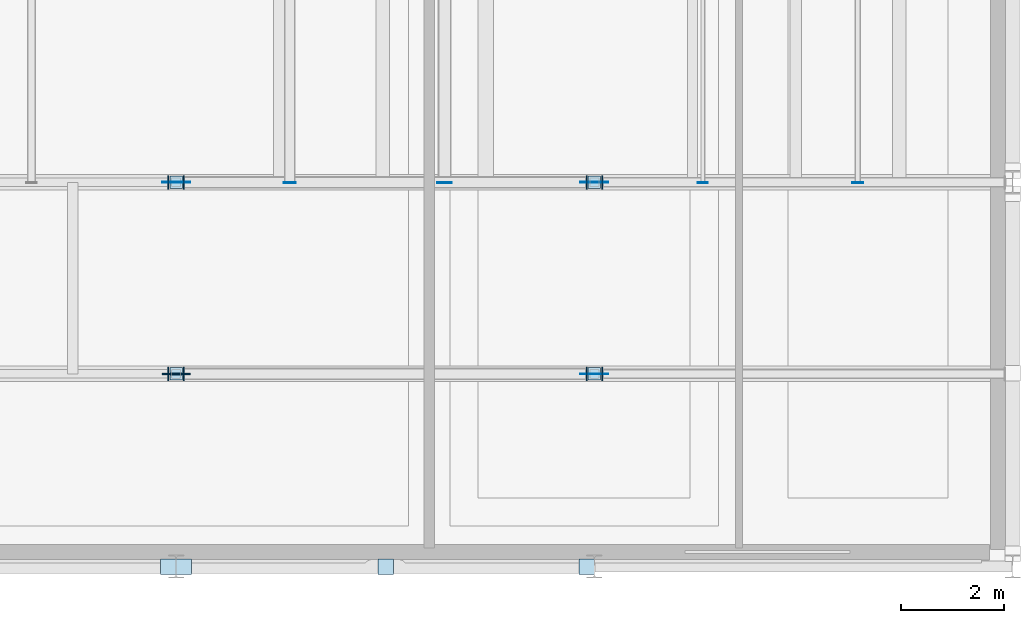
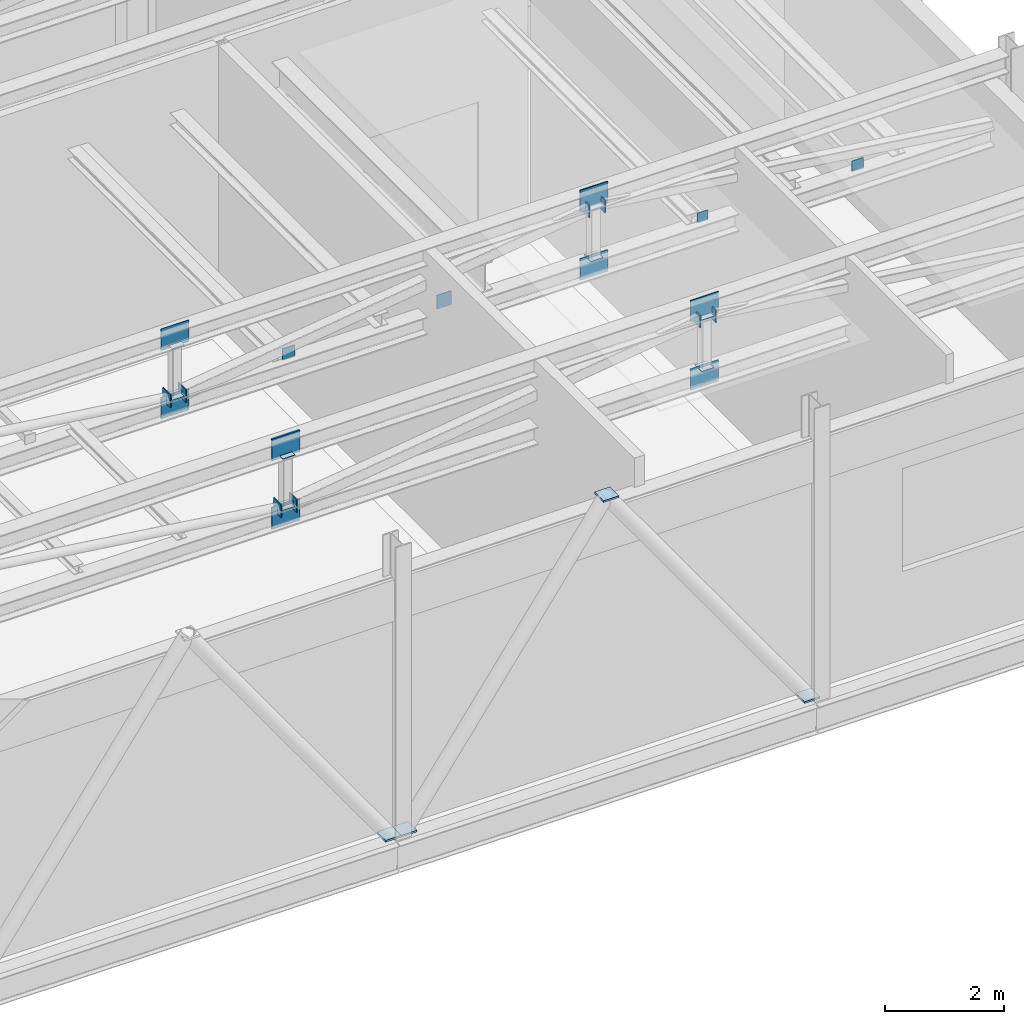
# One storey, part 15 of 21: 32 plates.
"""IFC4 building model written with IfcOpenShell, lengths in metres."""

import ifcopenshell
import ifcopenshell.guid

model = None  # the IFC model being written
_history = None  # IfcOwnerHistory: only IFC2X3 demands one
_inside = {}  # id of a spatial element -> (the spatial element, [elements in it])
_under = {}  # id of a project, library or spatial element -> (it, [spatial elements below it])
_declared = {}  # id of a project -> (the project, [libraries it declares])
_typed = {}  # id of a type object -> (the type object, [elements of that type])
_made_of = {}  # id of a material, layer set ... -> (it, [elements and type objects made of it])


def new_model(schema):
    """Start an empty IFC model of exactly this schema.

    Asked for "IFC4X3", IfcOpenShell would pick the latest addendum, in which some entities
    have other attributes; the version numbers below select the first issue.
    IFC2X3 requires an IfcOwnerHistory on every rooted entity: one is made here for all.
    """
    global model, _history
    if schema == "IFC4X3":
        model = ifcopenshell.file(schema_version=(4, 3, 0, 0))
    else:
        model = ifcopenshell.file(schema=schema)
    _inside.clear()
    _under.clear()
    _declared.clear()
    _typed.clear()
    _made_of.clear()
    _history = None
    if model.schema == "IFC2X3":
        org = make("IfcOrganization", Name="unknown")
        user = make(
            "IfcPersonAndOrganization",
            ThePerson=make("IfcPerson", FamilyName="unknown"),
            TheOrganization=org,
        )
        app = make(
            "IfcApplication",
            ApplicationDeveloper=org,
            Version="unknown",
            ApplicationFullName="unknown",
            ApplicationIdentifier="unknown",
        )
        _history = make(
            "IfcOwnerHistory",
            OwningUser=user,
            OwningApplication=app,
            ChangeAction="ADDED",
            CreationDate=0,
        )
    return model


def make(cls, **values):
    """One entity of the class cls with the attributes given. An attribute that is None is left unset."""
    return model.create_entity(
        cls, **{name: value for name, value in values.items() if value is not None}
    )


def rooted(cls, **values):
    """An entity with a GlobalId (a new one), such as an element, a storey or a relation."""
    return make(cls, GlobalId=ifcopenshell.guid.new(), OwnerHistory=_history, **values)


def si_unit(unit_type, name, prefix=None):
    """IfcSIUnit, for example si_unit("LENGTHUNIT", "METRE", prefix="MILLI")."""
    return make("IfcSIUnit", UnitType=unit_type, Prefix=prefix, Name=name)


def assignment(units):
    """IfcUnitAssignment: the units of a project."""
    return None if units is None else make("IfcUnitAssignment", Units=units)


def point(xyz):
    """IfcCartesianPoint."""
    return None if xyz is None else make("IfcCartesianPoint", Coordinates=xyz)


def direction(xyz):
    """IfcDirection."""
    return None if xyz is None else make("IfcDirection", DirectionRatios=xyz)


def frame(location, z_axis=None, x_axis=None):
    """IfcAxis2Placement3D, a coordinate frame: its origin and axes. An axis left out is left unset."""
    return make(
        "IfcAxis2Placement3D",
        Location=point(location),
        Axis=direction(z_axis),
        RefDirection=direction(x_axis),
    )


def frame_2d(location, x_axis=None):
    """IfcAxis2Placement2D, a coordinate frame in the plane: its origin and x axis."""
    return make(
        "IfcAxis2Placement2D", Location=point(location), RefDirection=direction(x_axis)
    )


def origin():
    """The frame at (0, 0, 0) with its axes left unset."""
    return frame((0.0, 0.0, 0.0))


def origin_2d():
    """The frame at (0, 0) in the plane with its x axis left unset."""
    return frame_2d((0.0, 0.0))


def place(relative_to, where):
    """IfcLocalPlacement: puts the frame where relative to a parent placement (None: the world)."""
    return make(
        "IfcLocalPlacement", PlacementRelTo=relative_to, RelativePlacement=where
    )


def context(
    kind, dimensions, precision=None, world=None, true_north=None, identifier=None
):
    """IfcGeometricRepresentationContext, for example the 3D "Model" context."""
    return make(
        "IfcGeometricRepresentationContext",
        ContextIdentifier=identifier,
        ContextType=kind,
        CoordinateSpaceDimension=dimensions,
        Precision=precision,
        WorldCoordinateSystem=world,
        TrueNorth=true_north,
    )


def subcontext(parent, identifier, kind, view, scale=None):
    """IfcGeometricRepresentationSubContext, for example "Body" below "Model"."""
    return make(
        "IfcGeometricRepresentationSubContext",
        ContextIdentifier=identifier,
        ContextType=kind,
        ParentContext=parent,
        TargetScale=scale,
        TargetView=view,
    )


def project(units=None, contexts=None):
    """IfcProject with its units and contexts."""
    return rooted(
        "IfcProject",
        Name="project",
        RepresentationContexts=contexts,
        UnitsInContext=assignment(units),
    )


def spatial(cls, under=None, at=None, **own):
    """A site, building, storey or space (cls), placed at a placement, below another one or the project."""
    s = rooted(cls, ObjectPlacement=at, **own)
    if under is not None:
        _under.setdefault(under.id(), (under, []))[1].append(s)
    return s


def profile(cls, at=None, kind="AREA", **sizes):
    """A parametric profile (cls). Its sizes go by their IFC names, for example OverallWidth=200.0."""
    return make(cls, ProfileType=kind, Position=at, **sizes)


def rectangle(**sizes):
    """IfcRectangleProfileDef."""
    return profile("IfcRectangleProfileDef", **sizes)


def extrude(swept, where, along, depth):
    """IfcExtrudedAreaSolid: the profile swept, set in the frame where, extruded along a direction by depth."""
    return make(
        "IfcExtrudedAreaSolid",
        SweptArea=swept,
        Position=where,
        ExtrudedDirection=direction(along),
        Depth=depth,
    )


def shape(context_of_items, identifier, shape_type, items):
    """IfcShapeRepresentation: the items that make up one representation, for example the "Body"."""
    return make(
        "IfcShapeRepresentation",
        ContextOfItems=context_of_items,
        RepresentationIdentifier=identifier,
        RepresentationType=shape_type,
        Items=items,
    )


def material(Name=None, Category=None):
    """IfcMaterial."""
    return make("IfcMaterial", Name=Name, Category=Category)


def layer(
    of_material, thickness, ventilated=None, Name=None, Category=None, Priority=None
):
    """IfcMaterialLayer: one layer of a wall or slab, of a material (None: an air gap)."""
    return make(
        "IfcMaterialLayer",
        Material=of_material,
        LayerThickness=thickness,
        IsVentilated=ventilated,
        Name=Name,
        Category=Category,
        Priority=Priority,
    )


def layer_set(layers, Name=None):
    """IfcMaterialLayerSet."""
    return make("IfcMaterialLayerSet", MaterialLayers=layers, LayerSetName=Name)


def made_of(thing, what):
    """Note that an element or type object is made of a material, layer set ...; save() writes the relation."""
    if what is not None:
        _made_of.setdefault(what.id(), (what, []))[1].append(thing)
    return thing


def type_object(cls, material=None, **own):
    """A type object (cls), such as IfcWallType, which elements share."""
    return made_of(rooted(cls, **own), material)


def element(
    cls,
    number,
    at=None,
    inside=None,
    cuts=None,
    type_object=None,
    material=None,
    context=None,
    identifier="Body",
    shape_type=None,
    held_by="IfcProductDefinitionShape",
    body=None,
    shapes=None,
    **own,
):
    """One element of the class cls, such as IfcWall. Its Tag is "e" and its number.

    at: its placement. inside: the storey or other place that contains it. cuts: it is an
    opening in that element (IfcRelVoidsElement). A single representation is given by context,
    identifier, shape_type and body (its items); several are given by shapes. held_by: the class
    of the entity that holds the representations. save() writes the other relations.
    """
    e = rooted(cls, Tag="e%d" % number, ObjectPlacement=at, **own)
    if body is not None:
        shapes = [shape(context, identifier, shape_type, body)]
    if shapes is not None:
        e.Representation = make(held_by, Representations=shapes)
    if inside is not None:
        _inside.setdefault(inside.id(), (inside, []))[1].append(e)
    if cuts is not None:
        rooted(
            "IfcRelVoidsElement", RelatingBuildingElement=cuts, RelatedOpeningElement=e
        )
    if type_object is not None:
        _typed.setdefault(type_object.id(), (type_object, []))[1].append(e)
    return made_of(e, material)


def aggregate(whole, parts):
    """IfcRelAggregates: a whole, such as a stair, and the parts it consists of."""
    return rooted("IfcRelAggregates", RelatingObject=whole, RelatedObjects=parts)


def save(model, path):
    """Write the relations noted so far, then the file.

    IfcRelAggregates (storeys below a building ...), IfcRelContainedInSpatialStructure (elements
    in a storey), IfcRelDefinesByType, IfcRelAssociatesMaterial and IfcRelDeclares: one each for
    every whole, place, type object, material and project.
    """
    for whole, parts in _under.values():
        aggregate(whole, parts)
    for where, things in _inside.values():
        rooted(
            "IfcRelContainedInSpatialStructure",
            RelatedElements=things,
            RelatingStructure=where,
        )
    for kind, things in _typed.values():
        rooted("IfcRelDefinesByType", RelatedObjects=things, RelatingType=kind)
    for what, things in _made_of.values():
        rooted("IfcRelAssociatesMaterial", RelatedObjects=things, RelatingMaterial=what)
    for by, libraries in _declared.values():
        rooted("IfcRelDeclares", RelatingContext=by, RelatedDefinitions=libraries)
    model.write(path)


model = new_model("IFC4")

# Units and contexts
model_context = context("Model", 3, precision=1e-05, world=origin(), true_north=direction((0.0, 1.0)))
body_context = subcontext(model_context, "Body", "Model", "MODEL_VIEW")
ifc_project = project(units=[si_unit("LENGTHUNIT", "METRE"), si_unit("AREAUNIT", "SQUARE_METRE"), si_unit("VOLUMEUNIT", "CUBIC_METRE"), si_unit("PLANEANGLEUNIT", "RADIAN"), si_unit("MASSUNIT", "GRAM", prefix="KILO")], contexts=[model_context])

# Site, building, storey
site_placement = place(None, origin())
site = spatial("IfcSite", under=ifc_project, at=site_placement, CompositionType="ELEMENT")
building_placement = place(site_placement, origin())
building = spatial("IfcBuilding", under=site, at=building_placement, Name="Kaelora Sail Theatre", CompositionType="ELEMENT")
storey_placement = place(building_placement, frame((0.0, 0.0, 27.60009765625)))
storey = spatial("IfcBuildingStorey", under=building, at=storey_placement, Name="L06", CompositionType="ELEMENT", Elevation=27.60009765625)

# Plates
ifc_material_1 = material(Name="Steel S355", Category="steel")
ifc_layer_1 = layer(ifc_material_1, 0.014892578125)
ifc_layer_set_1 = layer_set([ifc_layer_1], Name="Steel S355")
plate_type_1 = type_object("IfcPlateType", Name="STR-PL-EP-15", PredefinedType="SHEET", material=ifc_layer_set_1)
for number, where, z_axis, x_axis, name in (
    (1, (42.0, 64.75, 4.41552734375), (0.0, 0.0, 1.0), (1.0, 0.0, 0.0), "TVT-01 Fly Tower truss 1 vertical strut 2 end cap plate A"),
    (2, (42.0, 64.75, 5.46923828125), (0.0, 0.0, 1.0), (1.0, 0.0, 0.0), "TVT-01 Fly Tower truss 1 vertical strut 2 end cap plate B"),
    (3, (50.10009765625, 64.75, 4.41552734375), (0.0, 0.0, 1.0), (1.0, 0.0, 0.0), "TVT-01 Fly Tower truss 1 vertical strut 3 end cap plate A"),
    (4, (50.10009765625, 64.75, 5.46923828125), (0.0, 0.0, 1.0), (1.0, 0.0, 0.0), "TVT-01 Fly Tower truss 1 vertical strut 3 end cap plate B"),
    (5, (42.0, 68.4599609375, 4.41552734375), (0.0, 0.0, 1.0), (1.0, 0.0, 0.0), "TVT-01 Fly Tower truss 2 vertical strut 2 end cap plate A"),
    (6, (42.0, 68.4599609375, 5.46923828125), (0.0, 0.0, 1.0), (1.0, 0.0, 0.0), "TVT-01 Fly Tower truss 2 vertical strut 2 end cap plate B"),
    (7, (50.10009765625, 68.4599609375, 4.41552734375), (0.0, 0.0, 1.0), (1.0, 0.0, 0.0), "TVT-01 Fly Tower truss 2 vertical strut 3 end cap plate A"),
    (8, (50.10009765625, 68.4599609375, 5.46923828125), (0.0, 0.0, 1.0), (1.0, 0.0, 0.0), "TVT-01 Fly Tower truss 2 vertical strut 3 end cap plate B"),
):
    element("IfcPlate", number, at=place(storey_placement, frame(where, z_axis=z_axis, x_axis=x_axis)), inside=storey, type_object=plate_type_1, Name=name, PredefinedType="SHEET", context=body_context, shape_type="SweptSolid", body=[
        extrude(rectangle(XDim=0.239990234375, YDim=0.239990234375, at=origin_2d()), origin(), (0.0, 0.0, 1.0), 0.014892578125),
    ])
plate_1_placement = place(storey_placement, frame((44.199951171875, 68.453369140625, 4.40966796875), z_axis=(0.0, 0.0, 1.0), x_axis=(0.0, 1.0, 0.0)))
element("IfcPlate", 9, at=plate_1_placement, inside=storey, type_object=plate_type_1, Name="HTB-01 Fly Tower headblock tie brace 06 end cap plate A", PredefinedType="SHEET", context=body_context, shape_type="SweptSolid", body=[
    extrude(rectangle(XDim=0.014892578125, YDim=0.239990234375, at=origin_2d()), origin(), (0.0, 0.0, 1.0), 0.239990234375),
])
plate_2_placement = place(storey_placement, frame((47.199951171875, 68.453369140625, 4.4150390625), z_axis=(0.0, 0.0, 1.0), x_axis=(0.0, 1.0, 0.0)))
element("IfcPlate", 10, at=plate_2_placement, inside=storey, type_object=plate_type_1, Name="HTB-01 Fly Tower headblock tie brace 07 end cap plate A", PredefinedType="SHEET", context=body_context, shape_type="SweptSolid", body=[
    extrude(rectangle(XDim=0.014892578125, YDim=0.280029296875, at=origin_2d()), origin(), (0.0, 0.0, 1.0), 0.280029296875),
])
plate_3_placement = place(storey_placement, frame((52.199951171875, 68.453369140625, 4.41015625), z_axis=(0.0, 0.0, 1.0), x_axis=(0.0, 1.0, 0.0)))
element("IfcPlate", 11, at=plate_3_placement, inside=storey, type_object=plate_type_1, Name="HTB-01 Fly Tower headblock tie brace 08 end cap plate A", PredefinedType="SHEET", context=body_context, shape_type="SweptSolid", body=[
    extrude(rectangle(XDim=0.014892578125, YDim=0.199951171875, at=origin_2d()), origin(), (0.0, 0.0, 1.0), 0.199951171875),
])
plate_4_placement = place(storey_placement, frame((55.199951171875, 68.453369140625, 4.41015625), z_axis=(0.0, 0.0, 1.0), x_axis=(0.0, 1.0, 0.0)))
element("IfcPlate", 12, at=plate_4_placement, inside=storey, type_object=plate_type_1, Name="HTB-01 Fly Tower headblock tie brace 09 end cap plate A", PredefinedType="SHEET", context=body_context, shape_type="SweptSolid", body=[
    extrude(rectangle(XDim=0.014892578125, YDim=0.219970703125, at=origin_2d()), origin(), (0.0, 0.0, 1.0), 0.219970703125),
])
ifc_material_2 = material(Name="Steel S355", Category="steel")
ifc_layer_2 = layer(ifc_material_2, 0.02001953125)
ifc_layer_set_2 = layer_set([ifc_layer_2], Name="Steel S355")
plate_type_2 = type_object("IfcPlateType", Name="STR-PL-EP-20", PredefinedType="SHEET", material=ifc_layer_set_2)
for number, where, z_axis, x_axis, name in (
    (13, (41.848876953125, 64.75, 4.298828125), (0.0, 0.0, 1.0), (1.0, 0.0, 0.0), "TDG-01 Fly Tower truss 1 web diagonal 2 end cap plate B"),
    (14, (42.151123046875, 64.75, 4.298828125), (0.0, 0.0, 1.0), (1.0, 0.0, 0.0), "TDG-01 Fly Tower truss 1 web diagonal 3 end cap plate A"),
    (15, (49.948974609375, 64.75, 5.34130859375), (0.0, 0.0, 1.0), (1.0, 0.0, 0.0), "TDG-01 Fly Tower truss 1 web diagonal 3 end cap plate B"),
    (16, (50.2509765625, 64.75, 5.34130859375), (0.0, 0.0, 1.0), (1.0, 0.0, 0.0), "TDG-01 Fly Tower truss 1 web diagonal 4 end cap plate A"),
    (17, (41.848876953125, 68.4599609375, 4.298828125), (0.0, 0.0, 1.0), (1.0, 0.0, 0.0), "TDG-01 Fly Tower truss 2 web diagonal 2 end cap plate B"),
    (18, (42.151123046875, 68.4599609375, 4.298828125), (0.0, 0.0, 1.0), (1.0, 0.0, 0.0), "TDG-01 Fly Tower truss 2 web diagonal 3 end cap plate A"),
    (19, (49.948974609375, 68.4599609375, 5.34130859375), (0.0, 0.0, 1.0), (1.0, 0.0, 0.0), "TDG-01 Fly Tower truss 2 web diagonal 3 end cap plate B"),
    (20, (50.2509765625, 68.4599609375, 5.34130859375), (0.0, 0.0, 1.0), (1.0, 0.0, 0.0), "TDG-01 Fly Tower truss 2 web diagonal 4 end cap plate A"),
):
    element("IfcPlate", number, at=place(storey_placement, frame(where, z_axis=z_axis, x_axis=x_axis)), inside=storey, type_object=plate_type_2, Name=name, PredefinedType="SHEET", context=body_context, shape_type="SweptSolid", body=[
        extrude(rectangle(XDim=0.02001953125, YDim=0.260009765625, at=origin_2d()), origin(), (0.0, 0.0, 1.0), 0.260009765625),
    ])
ifc_material_3 = material(Name="Steel S355", Category="steel")
ifc_layer_3 = layer(ifc_material_3, 0.035888671875)
ifc_layer_set_3 = layer_set([ifc_layer_3], Name="Steel S355")
plate_type_3 = type_object("IfcPlateType", Name="STR-PL-EP-36", PredefinedType="SHEET", material=ifc_layer_set_3)
for number, where, z_axis, x_axis, name in (
    (21, (41.849365234375, 61.02001953125, -0.01123046875), (0.0, 0.0, 1.0), (1.0, 0.0, 0.0), "Fly Tower south stage-house chevron brace L06 S2-2 end cap plate A"),
    (22, (42.150634765625, 61.02001953125, -0.01123046875), (0.0, 0.0, 1.0), (1.0, 0.0, 0.0), "Fly Tower south stage-house chevron brace L06 S3-1 end cap plate A"),
    (23, (46.059326171875, 61.02001953125, 5.4599609375), (0.0, 0.0, 1.0), (1.0, 0.0, 0.0), "Fly Tower south stage-house chevron brace L06 S3-1 end cap plate B"),
    (24, (49.949462890625, 61.02001953125, -0.01123046875), (0.0, 0.0, 1.0), (1.0, 0.0, 0.0), "Fly Tower south stage-house chevron brace L06 S3-2 end cap plate A"),
):
    element("IfcPlate", number, at=place(storey_placement, frame(where, z_axis=z_axis, x_axis=x_axis)), inside=storey, type_object=plate_type_3, Name=name, PredefinedType="SHEET", context=body_context, shape_type="SweptSolid", body=[
        extrude(rectangle(XDim=0.300048828125, YDim=0.300048828125, at=origin_2d()), origin(), (0.0, 0.0, 1.0), 0.035888671875),
    ])
ifc_material_4 = material(Name="Steel S355", Category="steel")
ifc_layer_4 = layer(ifc_material_4, 0.011962890625)
ifc_layer_set_4 = layer_set([ifc_layer_4], Name="Steel S355")
plate_type_4 = type_object("IfcPlateType", Name="STR-PL-GP-12", PredefinedType="USERDEFINED", material=ifc_layer_set_4)
for number, where, z_axis, x_axis, name in (
    (25, (50.10009765625, 64.75, 4.030029296875), (0.0, 0.0, 1.0), (1.0, 0.0, 0.0), "Fly Tower truss node gusset plate T1-N3B"),
    (26, (50.10009765625, 64.75, 5.429931640625), (0.0, 0.0, 1.0), (1.0, 0.0, 0.0), "Fly Tower truss node gusset plate T1-N3T"),
    (27, (42.0, 68.4599609375, 4.030029296875), (0.0, 0.0, 1.0), (1.0, 0.0, 0.0), "Fly Tower truss node gusset plate T2-N2B"),
    (28, (42.0, 68.4599609375, 5.429931640625), (0.0, 0.0, 1.0), (1.0, 0.0, 0.0), "Fly Tower truss node gusset plate T2-N2T"),
):
    element("IfcPlate", number, at=place(storey_placement, frame(where, z_axis=z_axis, x_axis=x_axis)), inside=storey, type_object=plate_type_4, Name=name, ObjectType="GUSSET PLATE", PredefinedType="USERDEFINED", context=body_context, shape_type="SweptSolid", body=[
        extrude(rectangle(XDim=0.5400390625, YDim=0.011962890625, at=origin_2d()), origin(), (0.0, 0.0, 1.0), 0.43994140625),
    ])
ifc_material_5 = material(Name="Steel S355", Category="steel")
ifc_layer_5 = layer(ifc_material_5, 0.01806640625)
ifc_layer_set_5 = layer_set([ifc_layer_5], Name="Steel S355")
plate_type_5 = type_object("IfcPlateType", Name="STR-PL-GP-18", PredefinedType="USERDEFINED", material=ifc_layer_set_5)
for number, where, z_axis, x_axis, name in (
    (29, (50.10009765625, 68.4599609375, 4.030029296875), (0.0, 0.0, 1.0), (1.0, 0.0, 0.0), "Fly Tower truss node gusset plate T2-N3B"),
    (30, (50.10009765625, 68.4599609375, 5.429931640625), (0.0, 0.0, 1.0), (1.0, 0.0, 0.0), "Fly Tower truss node gusset plate T2-N3T"),
):
    element("IfcPlate", number, at=place(storey_placement, frame(where, z_axis=z_axis, x_axis=x_axis)), inside=storey, type_object=plate_type_5, Name=name, ObjectType="GUSSET PLATE", PredefinedType="USERDEFINED", context=body_context, shape_type="SweptSolid", body=[
        extrude(rectangle(XDim=0.5400390625, YDim=0.01806640625, at=origin_2d()), origin(), (0.0, 0.0, 1.0), 0.43994140625),
    ])
ifc_material_6 = material(Name="Steel S355", Category="steel")
ifc_layer_6 = layer(ifc_material_6, 0.031982421875)
ifc_layer_set_6 = layer_set([ifc_layer_6], Name="Steel S355")
plate_type_6 = type_object("IfcPlateType", Name="STR-PL-GP-32", PredefinedType="USERDEFINED", material=ifc_layer_set_6)
for number, where, z_axis, x_axis, name in (
    (31, (42.0, 64.75, 4.030029296875), (0.0, 0.0, 1.0), (1.0, 0.0, 0.0), "Fly Tower truss node gusset plate T1-N2B"),
    (32, (42.0, 64.75, 5.429931640625), (0.0, 0.0, 1.0), (1.0, 0.0, 0.0), "Fly Tower truss node gusset plate T1-N2T"),
):
    element("IfcPlate", number, at=place(storey_placement, frame(where, z_axis=z_axis, x_axis=x_axis)), inside=storey, type_object=plate_type_6, Name=name, ObjectType="GUSSET PLATE", PredefinedType="USERDEFINED", context=body_context, shape_type="SweptSolid", body=[
        extrude(rectangle(XDim=0.5400390625, YDim=0.031982421875, at=origin_2d()), origin(), (0.0, 0.0, 1.0), 0.43994140625),
    ])

save(model, "model.ifc")
